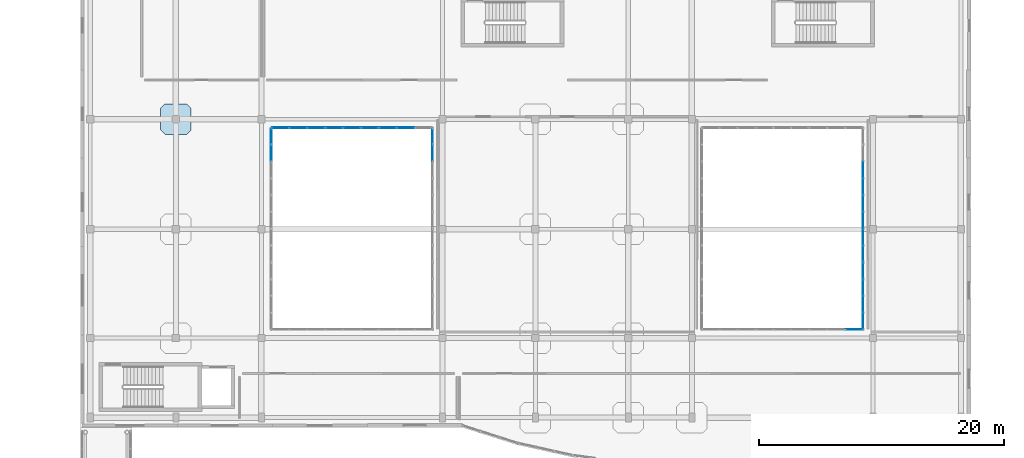
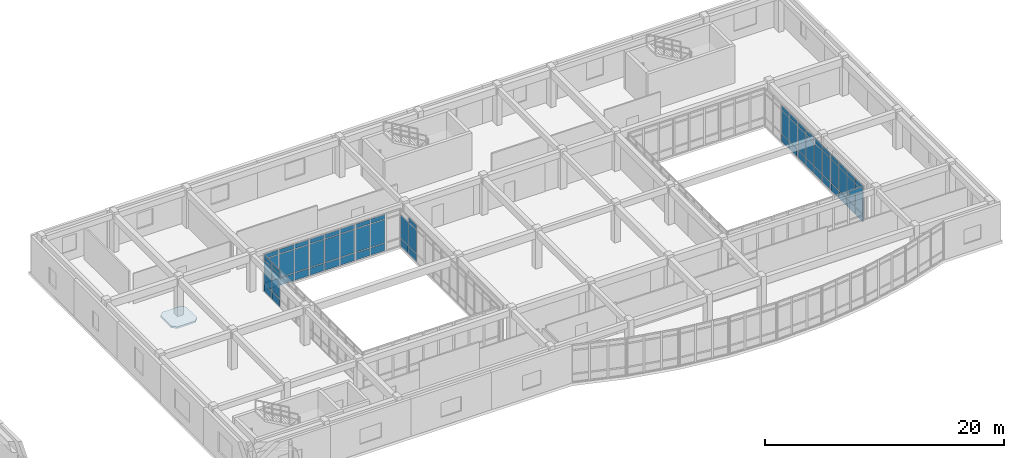
# One storey, part 120 of 146: 66 plates, 1 slab, 9 elements without a shape of their own.
"""IFC4 building model written with IfcOpenShell, lengths in metres."""

from ifc_helpers import new_model, si_unit, direction, frame, origin, origin_2d, place, context, subcontext, project, spatial, polyline, rectangle, outline, extrude, material, layer, layer_set, type_object, element, aggregate, save


model = new_model("IFC4")

# Units and contexts
model_context = context("Model", 3, precision=1e-05, world=origin(), true_north=direction((0.0, 1.0)))
body_context = subcontext(model_context, "Body", "Model", "MODEL_VIEW")
ifc_project = project(units=[si_unit("LENGTHUNIT", "METRE"), si_unit("AREAUNIT", "SQUARE_METRE"), si_unit("VOLUMEUNIT", "CUBIC_METRE"), si_unit("PLANEANGLEUNIT", "RADIAN"), si_unit("MASSUNIT", "GRAM", prefix="KILO")], contexts=[model_context])

# Site, building, storey
site_placement = place(None, origin())
site = spatial("IfcSite", under=ifc_project, at=site_placement, CompositionType="ELEMENT")
building_placement = place(site_placement, origin())
building = spatial("IfcBuilding", under=site, at=building_placement, Name="Valcora Specialist Clinic", CompositionType="ELEMENT")
storey_placement = place(building_placement, frame((0.0, 0.0, 9.52001953125)))
storey = spatial("IfcBuildingStorey", under=building, at=storey_placement, Name="L02", CompositionType="ELEMENT", Elevation=9.52001953125)

# Curtain wall, plates
ifc_material_1 = material(Name="Anodized Bronze Aluminium 6063-T6", Category="aluminium")
ifc_layer_1 = layer(ifc_material_1, 0.175048828125)
ifc_layer_set_1 = layer_set([ifc_layer_1], Name="Anodized Bronze Aluminium 6063-T6")
curtain_wall_type = type_object("IfcCurtainWallType", Name="TY-CW-CRT15", PredefinedType="NOTDEFINED", material=ifc_layer_set_1)
curtain_wall_1_placement = place(storey_placement, origin())
curtain_wall_1 = element("IfcCurtainWall", 1, at=curtain_wall_1_placement, inside=storey, type_object=curtain_wall_type, Name="Curtain wall CW-L02-098", PredefinedType="NOTDEFINED")
ifc_material_2 = material(Name="Low-E Laminated Insulating Glass", Category="glass")
ifc_layer_2 = layer(ifc_material_2, 0.028076171875)
ifc_layer_set_2 = layer_set([ifc_layer_2], Name="Low-E Laminated Insulating Glass")
plate_type_1 = type_object("IfcPlateType", Name="TY-CWP-GLZ28", PredefinedType="CURTAIN_PANEL", material=ifc_layer_set_2)
plate_1_placement = place(storey_placement, frame((90.0, 96.4375, 0.882568359375), z_axis=(0.0, 0.0, 1.0), x_axis=(0.0, 1.0, 0.0)))
plate_1 = element("IfcPlate", 2, at=plate_1_placement, type_object=plate_type_1, Name="CW-CRT-15 panel 3.2", PredefinedType="CURTAIN_PANEL", context=body_context, shape_type="SweptSolid", body=[
    extrude(rectangle(XDim=1.31005859375, YDim=0.028076171875, at=origin_2d()), origin(), (0.0, 0.0, 1.0), 2.35498046875),
])
plate_2_placement = place(storey_placement, frame((90.0, 96.4375, 3.302734375), z_axis=(0.0, 0.0, 1.0), x_axis=(0.0, 1.0, 0.0)))
plate_2 = element("IfcPlate", 3, at=plate_2_placement, type_object=plate_type_1, Name="CW-CRT-15 panel 3.3", PredefinedType="CURTAIN_PANEL", context=body_context, shape_type="SweptSolid", body=[
    extrude(rectangle(XDim=1.31005859375, YDim=0.028076171875, at=origin_2d()), origin(), (0.0, 0.0, 1.0), 0.452392578125),
])
plate_3_placement = place(storey_placement, frame((90.0, 97.796142578125, 0.882568359375), z_axis=(0.0, 0.0, 1.0), x_axis=(0.0, 1.0, 0.0)))
plate_3 = element("IfcPlate", 4, at=plate_3_placement, type_object=plate_type_1, Name="CW-CRT-15 panel 4.2", PredefinedType="CURTAIN_PANEL", context=body_context, shape_type="SweptSolid", body=[
    extrude(rectangle(XDim=1.277587890625, YDim=0.028076171875, at=origin_2d()), origin(), (0.0, 0.0, 1.0), 2.35498046875),
])

curtain_wall_2_placement = place(storey_placement, origin())
curtain_wall_2 = element("IfcCurtainWall", 5, at=curtain_wall_2_placement, inside=storey, type_object=curtain_wall_type, Name="Curtain wall CW-L02-100", PredefinedType="NOTDEFINED")
plate_4_placement = place(storey_placement, frame((84.850341796875, 98.5, 0.882568359375), z_axis=(0.0, 0.0, 1.0), x_axis=(-1.0, 0.0, 0.0)))
plate_4 = element("IfcPlate", 6, at=plate_4_placement, type_object=plate_type_1, Name="CW-CRT-15 panel 1.2", PredefinedType="CURTAIN_PANEL", context=body_context, shape_type="SweptSolid", body=[
    extrude(rectangle(XDim=1.369140625, YDim=0.028076171875, at=origin_2d()), origin(), (0.0, 0.0, 1.0), 2.35498046875),
])
plate_5_placement = place(storey_placement, frame((84.850341796875, 98.5, 3.302734375), z_axis=(0.0, 0.0, 1.0), x_axis=(-1.0, 0.0, 0.0)))
plate_5 = element("IfcPlate", 7, at=plate_5_placement, type_object=plate_type_1, Name="CW-CRT-15 panel 1.3", PredefinedType="CURTAIN_PANEL", context=body_context, shape_type="SweptSolid", body=[
    extrude(rectangle(XDim=1.369140625, YDim=0.028076171875, at=origin_2d()), origin(), (0.0, 0.0, 1.0), 0.452392578125),
])
plate_6_placement = place(storey_placement, frame((83.39990234375, 98.5, 0.882568359375), z_axis=(0.0, 0.0, 1.0), x_axis=(-1.0, 0.0, 0.0)))
plate_6 = element("IfcPlate", 8, at=plate_6_placement, type_object=plate_type_1, Name="CW-CRT-15 panel 2.2", PredefinedType="CURTAIN_PANEL", context=body_context, shape_type="SweptSolid", body=[
    extrude(rectangle(XDim=1.401611328125, YDim=0.028076171875, at=origin_2d()), origin(), (0.0, 0.0, 1.0), 2.35498046875),
])
plate_7_placement = place(storey_placement, frame((83.39990234375, 98.5, 3.302734375), z_axis=(0.0, 0.0, 1.0), x_axis=(-1.0, 0.0, 0.0)))
plate_7 = element("IfcPlate", 9, at=plate_7_placement, type_object=plate_type_1, Name="CW-CRT-15 panel 2.3", PredefinedType="CURTAIN_PANEL", context=body_context, shape_type="SweptSolid", body=[
    extrude(rectangle(XDim=1.401611328125, YDim=0.028076171875, at=origin_2d()), origin(), (0.0, 0.0, 1.0), 0.452392578125),
])
plate_8_placement = place(storey_placement, frame((81.949462890625, 98.5, 0.882568359375), z_axis=(0.0, 0.0, 1.0), x_axis=(-1.0, 0.0, 0.0)))
plate_8 = element("IfcPlate", 10, at=plate_8_placement, type_object=plate_type_1, Name="CW-CRT-15 panel 3.2", PredefinedType="CURTAIN_PANEL", context=body_context, shape_type="SweptSolid", body=[
    extrude(rectangle(XDim=1.369140625, YDim=0.028076171875, at=origin_2d()), origin(), (0.0, 0.0, 1.0), 2.35498046875),
])
plate_9_placement = place(storey_placement, frame((81.949462890625, 98.5, 3.302734375), z_axis=(0.0, 0.0, 1.0), x_axis=(-1.0, 0.0, 0.0)))
plate_9 = element("IfcPlate", 11, at=plate_9_placement, type_object=plate_type_1, Name="CW-CRT-15 panel 3.3", PredefinedType="CURTAIN_PANEL", context=body_context, shape_type="SweptSolid", body=[
    extrude(rectangle(XDim=1.369140625, YDim=0.028076171875, at=origin_2d()), origin(), (0.0, 0.0, 1.0), 0.452392578125),
])

curtain_wall_3_placement = place(storey_placement, origin())
curtain_wall_3 = element("IfcCurtainWall", 12, at=curtain_wall_3_placement, inside=storey, type_object=curtain_wall_type, Name="Curtain wall CW-L02-102", PredefinedType="NOTDEFINED")
plate_10_placement = place(storey_placement, frame((76.800048828125, 97.796142578125, 0.882568359375), z_axis=(0.0, 0.0, 1.0), x_axis=(0.0, -1.0, 0.0)))
plate_10 = element("IfcPlate", 13, at=plate_10_placement, type_object=plate_type_1, Name="CW-CRT-15 panel 1.2", PredefinedType="CURTAIN_PANEL", context=body_context, shape_type="SweptSolid", body=[
    extrude(rectangle(XDim=1.277587890625, YDim=0.028076171875, at=origin_2d()), origin(), (0.0, 0.0, 1.0), 2.35498046875),
])
plate_11_placement = place(storey_placement, frame((76.800048828125, 97.796142578125, 3.302734375), z_axis=(0.0, 0.0, 1.0), x_axis=(0.0, -1.0, 0.0)))
plate_11 = element("IfcPlate", 14, at=plate_11_placement, type_object=plate_type_1, Name="CW-CRT-15 panel 1.3", PredefinedType="CURTAIN_PANEL", context=body_context, shape_type="SweptSolid", body=[
    extrude(rectangle(XDim=1.277587890625, YDim=0.028076171875, at=origin_2d()), origin(), (0.0, 0.0, 1.0), 0.452392578125),
])
plate_12_placement = place(storey_placement, frame((76.800048828125, 96.4375, 0.882568359375), z_axis=(0.0, 0.0, 1.0), x_axis=(0.0, -1.0, 0.0)))
plate_12 = element("IfcPlate", 15, at=plate_12_placement, type_object=plate_type_1, Name="CW-CRT-15 panel 2.2", PredefinedType="CURTAIN_PANEL", context=body_context, shape_type="SweptSolid", body=[
    extrude(rectangle(XDim=1.31005859375, YDim=0.028076171875, at=origin_2d()), origin(), (0.0, 0.0, 1.0), 2.35498046875),
])
plate_13_placement = place(storey_placement, frame((76.800048828125, 96.4375, 3.302734375), z_axis=(0.0, 0.0, 1.0), x_axis=(0.0, -1.0, 0.0)))
plate_13 = element("IfcPlate", 16, at=plate_13_placement, type_object=plate_type_1, Name="CW-CRT-15 panel 2.3", PredefinedType="CURTAIN_PANEL", context=body_context, shape_type="SweptSolid", body=[
    extrude(rectangle(XDim=1.31005859375, YDim=0.028076171875, at=origin_2d()), origin(), (0.0, 0.0, 1.0), 0.452392578125),
])

curtain_wall_4_placement = place(storey_placement, origin())
curtain_wall_4 = element("IfcCurtainWall", 17, at=curtain_wall_4_placement, inside=storey, type_object=curtain_wall_type, Name="Curtain wall CW-L02-108", PredefinedType="NOTDEFINED")
plate_14_placement = place(storey_placement, frame((125.199951171875, 82.703857421875, 0.882568359375), z_axis=(0.0, 0.0, 1.0), x_axis=(0.0, 1.0, 0.0)))
plate_14 = element("IfcPlate", 18, at=plate_14_placement, type_object=plate_type_1, Name="CW-CRT-15 panel 1.2", PredefinedType="CURTAIN_PANEL", context=body_context, shape_type="SweptSolid", body=[
    extrude(rectangle(XDim=1.277587890625, YDim=0.028076171875, at=origin_2d()), origin(), (0.0, 0.0, 1.0), 2.35498046875),
])
plate_15_placement = place(storey_placement, frame((125.199951171875, 82.703857421875, 3.302734375), z_axis=(0.0, 0.0, 1.0), x_axis=(0.0, 1.0, 0.0)))
plate_15 = element("IfcPlate", 19, at=plate_15_placement, type_object=plate_type_1, Name="CW-CRT-15 panel 1.3", PredefinedType="CURTAIN_PANEL", context=body_context, shape_type="SweptSolid", body=[
    extrude(rectangle(XDim=1.277587890625, YDim=0.028076171875, at=origin_2d()), origin(), (0.0, 0.0, 1.0), 0.452392578125),
])
plate_16_placement = place(storey_placement, frame((125.199951171875, 84.0625, 0.882568359375), z_axis=(0.0, 0.0, 1.0), x_axis=(0.0, 1.0, 0.0)))
plate_16 = element("IfcPlate", 20, at=plate_16_placement, type_object=plate_type_1, Name="CW-CRT-15 panel 2.2", PredefinedType="CURTAIN_PANEL", context=body_context, shape_type="SweptSolid", body=[
    extrude(rectangle(XDim=1.31005859375, YDim=0.028076171875, at=origin_2d()), origin(), (0.0, 0.0, 1.0), 2.35498046875),
])
plate_17_placement = place(storey_placement, frame((125.199951171875, 84.0625, 3.302734375), z_axis=(0.0, 0.0, 1.0), x_axis=(0.0, 1.0, 0.0)))
plate_17 = element("IfcPlate", 21, at=plate_17_placement, type_object=plate_type_1, Name="CW-CRT-15 panel 2.3", PredefinedType="CURTAIN_PANEL", context=body_context, shape_type="SweptSolid", body=[
    extrude(rectangle(XDim=1.31005859375, YDim=0.028076171875, at=origin_2d()), origin(), (0.0, 0.0, 1.0), 0.452392578125),
])
plate_18_placement = place(storey_placement, frame((125.199951171875, 85.4375, 0.882568359375), z_axis=(0.0, 0.0, 1.0), x_axis=(0.0, 1.0, 0.0)))
plate_18 = element("IfcPlate", 22, at=plate_18_placement, type_object=plate_type_1, Name="CW-CRT-15 panel 3.2", PredefinedType="CURTAIN_PANEL", context=body_context, shape_type="SweptSolid", body=[
    extrude(rectangle(XDim=1.31005859375, YDim=0.028076171875, at=origin_2d()), origin(), (0.0, 0.0, 1.0), 2.35498046875),
])
plate_19_placement = place(storey_placement, frame((125.199951171875, 85.4375, 3.302734375), z_axis=(0.0, 0.0, 1.0), x_axis=(0.0, 1.0, 0.0)))
plate_19 = element("IfcPlate", 23, at=plate_19_placement, type_object=plate_type_1, Name="CW-CRT-15 panel 3.3", PredefinedType="CURTAIN_PANEL", context=body_context, shape_type="SweptSolid", body=[
    extrude(rectangle(XDim=1.31005859375, YDim=0.028076171875, at=origin_2d()), origin(), (0.0, 0.0, 1.0), 0.452392578125),
])
plate_20_placement = place(storey_placement, frame((125.199951171875, 86.796142578125, 0.882568359375), z_axis=(0.0, 0.0, 1.0), x_axis=(0.0, 1.0, 0.0)))
plate_20 = element("IfcPlate", 24, at=plate_20_placement, type_object=plate_type_1, Name="CW-CRT-15 panel 4.2", PredefinedType="CURTAIN_PANEL", context=body_context, shape_type="SweptSolid", body=[
    extrude(rectangle(XDim=1.277587890625, YDim=0.028076171875, at=origin_2d()), origin(), (0.0, 0.0, 1.0), 2.35498046875),
])
plate_21_placement = place(storey_placement, frame((125.199951171875, 86.796142578125, 3.302734375), z_axis=(0.0, 0.0, 1.0), x_axis=(0.0, 1.0, 0.0)))
plate_21 = element("IfcPlate", 25, at=plate_21_placement, type_object=plate_type_1, Name="CW-CRT-15 panel 4.3", PredefinedType="CURTAIN_PANEL", context=body_context, shape_type="SweptSolid", body=[
    extrude(rectangle(XDim=1.277587890625, YDim=0.028076171875, at=origin_2d()), origin(), (0.0, 0.0, 1.0), 0.452392578125),
])

curtain_wall_5_placement = place(storey_placement, origin())
curtain_wall_5 = element("IfcCurtainWall", 26, at=curtain_wall_5_placement, inside=storey, type_object=curtain_wall_type, Name="Curtain wall CW-L02-110", PredefinedType="NOTDEFINED")
plate_22_placement = place(storey_placement, frame((125.199951171875, 93.703857421875, 0.882568359375), z_axis=(0.0, 0.0, 1.0), x_axis=(0.0, 1.0, 0.0)))
plate_22 = element("IfcPlate", 27, at=plate_22_placement, type_object=plate_type_1, Name="CW-CRT-15 panel 1.2", PredefinedType="CURTAIN_PANEL", context=body_context, shape_type="SweptSolid", body=[
    extrude(rectangle(XDim=1.277587890625, YDim=0.028076171875, at=origin_2d()), origin(), (0.0, 0.0, 1.0), 2.35498046875),
])
plate_23_placement = place(storey_placement, frame((125.199951171875, 93.703857421875, 3.302734375), z_axis=(0.0, 0.0, 1.0), x_axis=(0.0, 1.0, 0.0)))
plate_23 = element("IfcPlate", 28, at=plate_23_placement, type_object=plate_type_1, Name="CW-CRT-15 panel 1.3", PredefinedType="CURTAIN_PANEL", context=body_context, shape_type="SweptSolid", body=[
    extrude(rectangle(XDim=1.277587890625, YDim=0.028076171875, at=origin_2d()), origin(), (0.0, 0.0, 1.0), 0.452392578125),
])
plate_24_placement = place(storey_placement, frame((125.199951171875, 95.0625, 0.882568359375), z_axis=(0.0, 0.0, 1.0), x_axis=(0.0, 1.0, 0.0)))
plate_24 = element("IfcPlate", 29, at=plate_24_placement, type_object=plate_type_1, Name="CW-CRT-15 panel 2.2", PredefinedType="CURTAIN_PANEL", context=body_context, shape_type="SweptSolid", body=[
    extrude(rectangle(XDim=1.31005859375, YDim=0.028076171875, at=origin_2d()), origin(), (0.0, 0.0, 1.0), 2.35498046875),
])
plate_25_placement = place(storey_placement, frame((125.199951171875, 95.0625, 3.302734375), z_axis=(0.0, 0.0, 1.0), x_axis=(0.0, 1.0, 0.0)))
plate_25 = element("IfcPlate", 30, at=plate_25_placement, type_object=plate_type_1, Name="CW-CRT-15 panel 2.3", PredefinedType="CURTAIN_PANEL", context=body_context, shape_type="SweptSolid", body=[
    extrude(rectangle(XDim=1.31005859375, YDim=0.028076171875, at=origin_2d()), origin(), (0.0, 0.0, 1.0), 0.452392578125),
])

curtain_wall_6_placement = place(storey_placement, origin())
curtain_wall_6 = element("IfcCurtainWall", 31, at=curtain_wall_6_placement, inside=storey, type_object=curtain_wall_type, Name="Curtain wall CW-L02-099", PredefinedType="NOTDEFINED")
ifc_layer_3 = layer(ifc_material_2, 0.033935546875)
ifc_layer_set_3 = layer_set([ifc_layer_3], Name="Low-E Laminated Insulating Glass")
plate_type_2 = type_object("IfcPlateType", Name="TY-CWP-GLZ34", PredefinedType="CURTAIN_PANEL", material=ifc_layer_set_3)
plate_26_placement = place(storey_placement, frame((87.800048828125, 98.5, 0.882568359375), z_axis=(0.0, 0.0, 1.0), x_axis=(-1.0, 0.0, 0.0)))
plate_26 = element("IfcPlate", 32, at=plate_26_placement, type_object=plate_type_2, Name="CW-CRT-15 panel 2.2", PredefinedType="CURTAIN_PANEL", context=body_context, shape_type="SweptSolid", body=[
    extrude(rectangle(XDim=1.401611328125, YDim=0.033935546875, at=origin_2d()), origin(), (0.0, 0.0, 1.0), 2.35498046875),
])
plate_27_placement = place(storey_placement, frame((87.800048828125, 98.5, 3.302734375), z_axis=(0.0, 0.0, 1.0), x_axis=(-1.0, 0.0, 0.0)))
plate_27 = element("IfcPlate", 33, at=plate_27_placement, type_object=plate_type_2, Name="CW-CRT-15 panel 2.3", PredefinedType="CURTAIN_PANEL", context=body_context, shape_type="SweptSolid", body=[
    extrude(rectangle(XDim=1.401611328125, YDim=0.033935546875, at=origin_2d()), origin(), (0.0, 0.0, 1.0), 0.452392578125),
])
plate_28_placement = place(storey_placement, frame((86.349609375, 98.5, 0.882568359375), z_axis=(0.0, 0.0, 1.0), x_axis=(-1.0, 0.0, 0.0)))
plate_28 = element("IfcPlate", 34, at=plate_28_placement, type_object=plate_type_2, Name="CW-CRT-15 panel 3.2", PredefinedType="CURTAIN_PANEL", context=body_context, shape_type="SweptSolid", body=[
    extrude(rectangle(XDim=1.369140625, YDim=0.033935546875, at=origin_2d()), origin(), (0.0, 0.0, 1.0), 2.35498046875),
])
plate_29_placement = place(storey_placement, frame((86.349609375, 98.5, 3.302734375), z_axis=(0.0, 0.0, 1.0), x_axis=(-1.0, 0.0, 0.0)))
plate_29 = element("IfcPlate", 35, at=plate_29_placement, type_object=plate_type_2, Name="CW-CRT-15 panel 3.3", PredefinedType="CURTAIN_PANEL", context=body_context, shape_type="SweptSolid", body=[
    extrude(rectangle(XDim=1.369140625, YDim=0.033935546875, at=origin_2d()), origin(), (0.0, 0.0, 1.0), 0.452392578125),
])

curtain_wall_7_placement = place(storey_placement, origin())
curtain_wall_7 = element("IfcCurtainWall", 36, at=curtain_wall_7_placement, inside=storey, type_object=curtain_wall_type, Name="Curtain wall CW-L02-101", PredefinedType="NOTDEFINED")
plate_30_placement = place(storey_placement, frame((80.450439453125, 98.5, 0.882568359375), z_axis=(0.0, 0.0, 1.0), x_axis=(-1.0, 0.0, 0.0)))
plate_30 = element("IfcPlate", 37, at=plate_30_placement, type_object=plate_type_2, Name="CW-CRT-15 panel 1.2", PredefinedType="CURTAIN_PANEL", context=body_context, shape_type="SweptSolid", body=[
    extrude(rectangle(XDim=1.369140625, YDim=0.033935546875, at=origin_2d()), origin(), (0.0, 0.0, 1.0), 2.35498046875),
])
plate_31_placement = place(storey_placement, frame((80.450439453125, 98.5, 3.302734375), z_axis=(0.0, 0.0, 1.0), x_axis=(-1.0, 0.0, 0.0)))
plate_31 = element("IfcPlate", 38, at=plate_31_placement, type_object=plate_type_2, Name="CW-CRT-15 panel 1.3", PredefinedType="CURTAIN_PANEL", context=body_context, shape_type="SweptSolid", body=[
    extrude(rectangle(XDim=1.369140625, YDim=0.033935546875, at=origin_2d()), origin(), (0.0, 0.0, 1.0), 0.452392578125),
])
plate_32_placement = place(storey_placement, frame((79.0, 98.5, 0.882568359375), z_axis=(0.0, 0.0, 1.0), x_axis=(-1.0, 0.0, 0.0)))
plate_32 = element("IfcPlate", 39, at=plate_32_placement, type_object=plate_type_2, Name="CW-CRT-15 panel 2.2", PredefinedType="CURTAIN_PANEL", context=body_context, shape_type="SweptSolid", body=[
    extrude(rectangle(XDim=1.401611328125, YDim=0.033935546875, at=origin_2d()), origin(), (0.0, 0.0, 1.0), 2.35498046875),
])
plate_33_placement = place(storey_placement, frame((79.0, 98.5, 3.302734375), z_axis=(0.0, 0.0, 1.0), x_axis=(-1.0, 0.0, 0.0)))
plate_33 = element("IfcPlate", 40, at=plate_33_placement, type_object=plate_type_2, Name="CW-CRT-15 panel 2.3", PredefinedType="CURTAIN_PANEL", context=body_context, shape_type="SweptSolid", body=[
    extrude(rectangle(XDim=1.401611328125, YDim=0.033935546875, at=origin_2d()), origin(), (0.0, 0.0, 1.0), 0.452392578125),
])
plate_34_placement = place(storey_placement, frame((77.549560546875, 98.5, 0.882568359375), z_axis=(0.0, 0.0, 1.0), x_axis=(-1.0, 0.0, 0.0)))
plate_34 = element("IfcPlate", 41, at=plate_34_placement, type_object=plate_type_2, Name="CW-CRT-15 panel 3.2", PredefinedType="CURTAIN_PANEL", context=body_context, shape_type="SweptSolid", body=[
    extrude(rectangle(XDim=1.369140625, YDim=0.033935546875, at=origin_2d()), origin(), (0.0, 0.0, 1.0), 2.35498046875),
])
plate_35_placement = place(storey_placement, frame((77.549560546875, 98.5, 3.302734375), z_axis=(0.0, 0.0, 1.0), x_axis=(-1.0, 0.0, 0.0)))
plate_35 = element("IfcPlate", 42, at=plate_35_placement, type_object=plate_type_2, Name="CW-CRT-15 panel 3.3", PredefinedType="CURTAIN_PANEL", context=body_context, shape_type="SweptSolid", body=[
    extrude(rectangle(XDim=1.369140625, YDim=0.033935546875, at=origin_2d()), origin(), (0.0, 0.0, 1.0), 0.452392578125),
])

# Curtain wall, plate
curtain_wall_8_placement = place(storey_placement, origin())
curtain_wall_8 = element("IfcCurtainWall", 43, at=curtain_wall_8_placement, inside=storey, type_object=curtain_wall_type, Name="Curtain wall CW-L02-107", PredefinedType="NOTDEFINED")
plate_36_placement = place(storey_placement, frame((124.450439453125, 82.0, 3.302734375), z_axis=(0.0, 0.0, 1.0), x_axis=(1.0, 0.0, 0.0)))
plate_36 = element("IfcPlate", 44, at=plate_36_placement, type_object=plate_type_2, Name="CW-CRT-15 panel 3.3", PredefinedType="CURTAIN_PANEL", context=body_context, shape_type="SweptSolid", body=[
    extrude(rectangle(XDim=1.369140625, YDim=0.033935546875, at=origin_2d()), origin(), (0.0, 0.0, 1.0), 0.452392578125),
])
aggregate(curtain_wall_8, [plate_36])

# Curtain wall, plates
curtain_wall_9_placement = place(storey_placement, origin())
curtain_wall_9 = element("IfcCurtainWall", 45, at=curtain_wall_9_placement, inside=storey, type_object=curtain_wall_type, Name="Curtain wall CW-L02-109", PredefinedType="NOTDEFINED")
plate_37_placement = place(storey_placement, frame((125.199951171875, 88.203857421875, 0.882568359375), z_axis=(0.0, 0.0, 1.0), x_axis=(0.0, 1.0, 0.0)))
plate_37 = element("IfcPlate", 46, at=plate_37_placement, type_object=plate_type_2, Name="CW-CRT-15 panel 1.2", PredefinedType="CURTAIN_PANEL", context=body_context, shape_type="SweptSolid", body=[
    extrude(rectangle(XDim=1.277587890625, YDim=0.033935546875, at=origin_2d()), origin(), (0.0, 0.0, 1.0), 2.35498046875),
])
plate_38_placement = place(storey_placement, frame((125.199951171875, 88.203857421875, 3.302734375), z_axis=(0.0, 0.0, 1.0), x_axis=(0.0, 1.0, 0.0)))
plate_38 = element("IfcPlate", 47, at=plate_38_placement, type_object=plate_type_2, Name="CW-CRT-15 panel 1.3", PredefinedType="CURTAIN_PANEL", context=body_context, shape_type="SweptSolid", body=[
    extrude(rectangle(XDim=1.277587890625, YDim=0.033935546875, at=origin_2d()), origin(), (0.0, 0.0, 1.0), 0.452392578125),
])
plate_39_placement = place(storey_placement, frame((125.199951171875, 89.5625, 0.882568359375), z_axis=(0.0, 0.0, 1.0), x_axis=(0.0, 1.0, 0.0)))
plate_39 = element("IfcPlate", 48, at=plate_39_placement, type_object=plate_type_2, Name="CW-CRT-15 panel 2.2", PredefinedType="CURTAIN_PANEL", context=body_context, shape_type="SweptSolid", body=[
    extrude(rectangle(XDim=1.31005859375, YDim=0.033935546875, at=origin_2d()), origin(), (0.0, 0.0, 1.0), 2.35498046875),
])
plate_40_placement = place(storey_placement, frame((125.199951171875, 89.5625, 3.302734375), z_axis=(0.0, 0.0, 1.0), x_axis=(0.0, 1.0, 0.0)))
plate_40 = element("IfcPlate", 49, at=plate_40_placement, type_object=plate_type_2, Name="CW-CRT-15 panel 2.3", PredefinedType="CURTAIN_PANEL", context=body_context, shape_type="SweptSolid", body=[
    extrude(rectangle(XDim=1.31005859375, YDim=0.033935546875, at=origin_2d()), origin(), (0.0, 0.0, 1.0), 0.452392578125),
])
plate_41_placement = place(storey_placement, frame((125.199951171875, 90.9375, 0.882568359375), z_axis=(0.0, 0.0, 1.0), x_axis=(0.0, 1.0, 0.0)))
plate_41 = element("IfcPlate", 50, at=plate_41_placement, type_object=plate_type_2, Name="CW-CRT-15 panel 3.2", PredefinedType="CURTAIN_PANEL", context=body_context, shape_type="SweptSolid", body=[
    extrude(rectangle(XDim=1.31005859375, YDim=0.033935546875, at=origin_2d()), origin(), (0.0, 0.0, 1.0), 2.35498046875),
])
plate_42_placement = place(storey_placement, frame((125.199951171875, 90.9375, 3.302734375), z_axis=(0.0, 0.0, 1.0), x_axis=(0.0, 1.0, 0.0)))
plate_42 = element("IfcPlate", 51, at=plate_42_placement, type_object=plate_type_2, Name="CW-CRT-15 panel 3.3", PredefinedType="CURTAIN_PANEL", context=body_context, shape_type="SweptSolid", body=[
    extrude(rectangle(XDim=1.31005859375, YDim=0.033935546875, at=origin_2d()), origin(), (0.0, 0.0, 1.0), 0.452392578125),
])
plate_43_placement = place(storey_placement, frame((125.199951171875, 92.296142578125, 0.882568359375), z_axis=(0.0, 0.0, 1.0), x_axis=(0.0, 1.0, 0.0)))
plate_43 = element("IfcPlate", 52, at=plate_43_placement, type_object=plate_type_2, Name="CW-CRT-15 panel 4.2", PredefinedType="CURTAIN_PANEL", context=body_context, shape_type="SweptSolid", body=[
    extrude(rectangle(XDim=1.277587890625, YDim=0.033935546875, at=origin_2d()), origin(), (0.0, 0.0, 1.0), 2.35498046875),
])
plate_44_placement = place(storey_placement, frame((125.199951171875, 92.296142578125, 3.302734375), z_axis=(0.0, 0.0, 1.0), x_axis=(0.0, 1.0, 0.0)))
plate_44 = element("IfcPlate", 53, at=plate_44_placement, type_object=plate_type_2, Name="CW-CRT-15 panel 4.3", PredefinedType="CURTAIN_PANEL", context=body_context, shape_type="SweptSolid", body=[
    extrude(rectangle(XDim=1.277587890625, YDim=0.033935546875, at=origin_2d()), origin(), (0.0, 0.0, 1.0), 0.452392578125),
])

# Plate
ifc_material_3 = material(Name="Insulated Spandrel Panel")
ifc_layer_4 = layer(ifc_material_3, 0.044921875)
ifc_layer_set_4 = layer_set([ifc_layer_4], Name="Insulated Spandrel Panel")
plate_type_3 = type_object("IfcPlateType", Name="TY-CWP-SPN45", PredefinedType="SHEET", material=ifc_layer_set_4)
plate_45_placement = place(storey_placement, frame((90.0, 96.4375, 0.06494140625), z_axis=(0.0, 0.0, 1.0), x_axis=(0.0, 1.0, 0.0)))
plate_45 = element("IfcPlate", 54, at=plate_45_placement, type_object=plate_type_3, Name="CW-CRT-15 panel 3.1", PredefinedType="SHEET", context=body_context, shape_type="SweptSolid", body=[
    extrude(rectangle(XDim=1.31005859375, YDim=0.044921875, at=origin_2d()), origin(), (0.0, 0.0, 1.0), 0.75244140625),
])

plate_46_placement = place(storey_placement, frame((90.0, 97.796142578125, 0.06494140625), z_axis=(0.0, 0.0, 1.0), x_axis=(0.0, 1.0, 0.0)))
plate_46 = element("IfcPlate", 55, at=plate_46_placement, type_object=plate_type_3, Name="CW-CRT-15 panel 4.1", PredefinedType="SHEET", context=body_context, shape_type="SweptSolid", body=[
    extrude(rectangle(XDim=1.277587890625, YDim=0.044921875, at=origin_2d()), origin(), (0.0, 0.0, 1.0), 0.75244140625),
])

aggregate(curtain_wall_1, [plate_45, plate_1, plate_2, plate_46, plate_3])

plate_47_placement = place(storey_placement, frame((87.800048828125, 98.5, 0.06494140625), z_axis=(0.0, 0.0, 1.0), x_axis=(-1.0, 0.0, 0.0)))
plate_47 = element("IfcPlate", 56, at=plate_47_placement, type_object=plate_type_3, Name="CW-CRT-15 panel 2.1", PredefinedType="SHEET", context=body_context, shape_type="SweptSolid", body=[
    extrude(rectangle(XDim=1.401611328125, YDim=0.044921875, at=origin_2d()), origin(), (0.0, 0.0, 1.0), 0.75244140625),
])

plate_48_placement = place(storey_placement, frame((86.349609375, 98.5, 0.06494140625), z_axis=(0.0, 0.0, 1.0), x_axis=(-1.0, 0.0, 0.0)))
plate_48 = element("IfcPlate", 57, at=plate_48_placement, type_object=plate_type_3, Name="CW-CRT-15 panel 3.1", PredefinedType="SHEET", context=body_context, shape_type="SweptSolid", body=[
    extrude(rectangle(XDim=1.369140625, YDim=0.044921875, at=origin_2d()), origin(), (0.0, 0.0, 1.0), 0.75244140625),
])

aggregate(curtain_wall_6, [plate_47, plate_26, plate_27, plate_48, plate_28, plate_29])

plate_49_placement = place(storey_placement, frame((84.850341796875, 98.5, 0.06494140625), z_axis=(0.0, 0.0, 1.0), x_axis=(-1.0, 0.0, 0.0)))
plate_49 = element("IfcPlate", 58, at=plate_49_placement, type_object=plate_type_3, Name="CW-CRT-15 panel 1.1", PredefinedType="SHEET", context=body_context, shape_type="SweptSolid", body=[
    extrude(rectangle(XDim=1.369140625, YDim=0.044921875, at=origin_2d()), origin(), (0.0, 0.0, 1.0), 0.75244140625),
])

plate_50_placement = place(storey_placement, frame((83.39990234375, 98.5, 0.06494140625), z_axis=(0.0, 0.0, 1.0), x_axis=(-1.0, 0.0, 0.0)))
plate_50 = element("IfcPlate", 59, at=plate_50_placement, type_object=plate_type_3, Name="CW-CRT-15 panel 2.1", PredefinedType="SHEET", context=body_context, shape_type="SweptSolid", body=[
    extrude(rectangle(XDim=1.401611328125, YDim=0.044921875, at=origin_2d()), origin(), (0.0, 0.0, 1.0), 0.75244140625),
])

plate_51_placement = place(storey_placement, frame((81.949462890625, 98.5, 0.06494140625), z_axis=(0.0, 0.0, 1.0), x_axis=(-1.0, 0.0, 0.0)))
plate_51 = element("IfcPlate", 60, at=plate_51_placement, type_object=plate_type_3, Name="CW-CRT-15 panel 3.1", PredefinedType="SHEET", context=body_context, shape_type="SweptSolid", body=[
    extrude(rectangle(XDim=1.369140625, YDim=0.044921875, at=origin_2d()), origin(), (0.0, 0.0, 1.0), 0.75244140625),
])

aggregate(curtain_wall_2, [plate_49, plate_4, plate_5, plate_50, plate_6, plate_7, plate_51, plate_8, plate_9])

plate_52_placement = place(storey_placement, frame((80.450439453125, 98.5, 0.06494140625), z_axis=(0.0, 0.0, 1.0), x_axis=(-1.0, 0.0, 0.0)))
plate_52 = element("IfcPlate", 61, at=plate_52_placement, type_object=plate_type_3, Name="CW-CRT-15 panel 1.1", PredefinedType="SHEET", context=body_context, shape_type="SweptSolid", body=[
    extrude(rectangle(XDim=1.369140625, YDim=0.044921875, at=origin_2d()), origin(), (0.0, 0.0, 1.0), 0.75244140625),
])

plate_53_placement = place(storey_placement, frame((79.0, 98.5, 0.06494140625), z_axis=(0.0, 0.0, 1.0), x_axis=(-1.0, 0.0, 0.0)))
plate_53 = element("IfcPlate", 62, at=plate_53_placement, type_object=plate_type_3, Name="CW-CRT-15 panel 2.1", PredefinedType="SHEET", context=body_context, shape_type="SweptSolid", body=[
    extrude(rectangle(XDim=1.401611328125, YDim=0.044921875, at=origin_2d()), origin(), (0.0, 0.0, 1.0), 0.75244140625),
])

plate_54_placement = place(storey_placement, frame((77.549560546875, 98.5, 0.06494140625), z_axis=(0.0, 0.0, 1.0), x_axis=(-1.0, 0.0, 0.0)))
plate_54 = element("IfcPlate", 63, at=plate_54_placement, type_object=plate_type_3, Name="CW-CRT-15 panel 3.1", PredefinedType="SHEET", context=body_context, shape_type="SweptSolid", body=[
    extrude(rectangle(XDim=1.369140625, YDim=0.044921875, at=origin_2d()), origin(), (0.0, 0.0, 1.0), 0.75244140625),
])

aggregate(curtain_wall_7, [plate_52, plate_30, plate_31, plate_53, plate_32, plate_33, plate_54, plate_34, plate_35])

plate_55_placement = place(storey_placement, frame((76.800048828125, 97.796142578125, 0.06494140625), z_axis=(0.0, 0.0, 1.0), x_axis=(0.0, -1.0, 0.0)))
plate_55 = element("IfcPlate", 64, at=plate_55_placement, type_object=plate_type_3, Name="CW-CRT-15 panel 1.1", PredefinedType="SHEET", context=body_context, shape_type="SweptSolid", body=[
    extrude(rectangle(XDim=1.277587890625, YDim=0.044921875, at=origin_2d()), origin(), (0.0, 0.0, 1.0), 0.75244140625),
])

plate_56_placement = place(storey_placement, frame((76.800048828125, 96.4375, 0.06494140625), z_axis=(0.0, 0.0, 1.0), x_axis=(0.0, -1.0, 0.0)))
plate_56 = element("IfcPlate", 65, at=plate_56_placement, type_object=plate_type_3, Name="CW-CRT-15 panel 2.1", PredefinedType="SHEET", context=body_context, shape_type="SweptSolid", body=[
    extrude(rectangle(XDim=1.31005859375, YDim=0.044921875, at=origin_2d()), origin(), (0.0, 0.0, 1.0), 0.75244140625),
])

aggregate(curtain_wall_3, [plate_55, plate_10, plate_11, plate_56, plate_12, plate_13])

plate_57_placement = place(storey_placement, frame((125.199951171875, 82.703857421875, 0.06494140625), z_axis=(0.0, 0.0, 1.0), x_axis=(0.0, 1.0, 0.0)))
plate_57 = element("IfcPlate", 66, at=plate_57_placement, type_object=plate_type_3, Name="CW-CRT-15 panel 1.1", PredefinedType="SHEET", context=body_context, shape_type="SweptSolid", body=[
    extrude(rectangle(XDim=1.277587890625, YDim=0.044921875, at=origin_2d()), origin(), (0.0, 0.0, 1.0), 0.75244140625),
])

plate_58_placement = place(storey_placement, frame((125.199951171875, 84.0625, 0.06494140625), z_axis=(0.0, 0.0, 1.0), x_axis=(0.0, 1.0, 0.0)))
plate_58 = element("IfcPlate", 67, at=plate_58_placement, type_object=plate_type_3, Name="CW-CRT-15 panel 2.1", PredefinedType="SHEET", context=body_context, shape_type="SweptSolid", body=[
    extrude(rectangle(XDim=1.31005859375, YDim=0.044921875, at=origin_2d()), origin(), (0.0, 0.0, 1.0), 0.75244140625),
])

plate_59_placement = place(storey_placement, frame((125.199951171875, 85.4375, 0.06494140625), z_axis=(0.0, 0.0, 1.0), x_axis=(0.0, 1.0, 0.0)))
plate_59 = element("IfcPlate", 68, at=plate_59_placement, type_object=plate_type_3, Name="CW-CRT-15 panel 3.1", PredefinedType="SHEET", context=body_context, shape_type="SweptSolid", body=[
    extrude(rectangle(XDim=1.31005859375, YDim=0.044921875, at=origin_2d()), origin(), (0.0, 0.0, 1.0), 0.75244140625),
])

plate_60_placement = place(storey_placement, frame((125.199951171875, 86.796142578125, 0.06494140625), z_axis=(0.0, 0.0, 1.0), x_axis=(0.0, 1.0, 0.0)))
plate_60 = element("IfcPlate", 69, at=plate_60_placement, type_object=plate_type_3, Name="CW-CRT-15 panel 4.1", PredefinedType="SHEET", context=body_context, shape_type="SweptSolid", body=[
    extrude(rectangle(XDim=1.277587890625, YDim=0.044921875, at=origin_2d()), origin(), (0.0, 0.0, 1.0), 0.75244140625),
])

aggregate(curtain_wall_4, [plate_57, plate_14, plate_15, plate_58, plate_16, plate_17, plate_59, plate_18, plate_19, plate_60, plate_20, plate_21])

plate_61_placement = place(storey_placement, frame((125.199951171875, 88.203857421875, 0.06494140625), z_axis=(0.0, 0.0, 1.0), x_axis=(0.0, 1.0, 0.0)))
plate_61 = element("IfcPlate", 70, at=plate_61_placement, type_object=plate_type_3, Name="CW-CRT-15 panel 1.1", PredefinedType="SHEET", context=body_context, shape_type="SweptSolid", body=[
    extrude(rectangle(XDim=1.277587890625, YDim=0.044921875, at=origin_2d()), origin(), (0.0, 0.0, 1.0), 0.75244140625),
])

plate_62_placement = place(storey_placement, frame((125.199951171875, 89.5625, 0.06494140625), z_axis=(0.0, 0.0, 1.0), x_axis=(0.0, 1.0, 0.0)))
plate_62 = element("IfcPlate", 71, at=plate_62_placement, type_object=plate_type_3, Name="CW-CRT-15 panel 2.1", PredefinedType="SHEET", context=body_context, shape_type="SweptSolid", body=[
    extrude(rectangle(XDim=1.31005859375, YDim=0.044921875, at=origin_2d()), origin(), (0.0, 0.0, 1.0), 0.75244140625),
])

plate_63_placement = place(storey_placement, frame((125.199951171875, 90.9375, 0.06494140625), z_axis=(0.0, 0.0, 1.0), x_axis=(0.0, 1.0, 0.0)))
plate_63 = element("IfcPlate", 72, at=plate_63_placement, type_object=plate_type_3, Name="CW-CRT-15 panel 3.1", PredefinedType="SHEET", context=body_context, shape_type="SweptSolid", body=[
    extrude(rectangle(XDim=1.31005859375, YDim=0.044921875, at=origin_2d()), origin(), (0.0, 0.0, 1.0), 0.75244140625),
])

plate_64_placement = place(storey_placement, frame((125.199951171875, 92.296142578125, 0.06494140625), z_axis=(0.0, 0.0, 1.0), x_axis=(0.0, 1.0, 0.0)))
plate_64 = element("IfcPlate", 73, at=plate_64_placement, type_object=plate_type_3, Name="CW-CRT-15 panel 4.1", PredefinedType="SHEET", context=body_context, shape_type="SweptSolid", body=[
    extrude(rectangle(XDim=1.277587890625, YDim=0.044921875, at=origin_2d()), origin(), (0.0, 0.0, 1.0), 0.75244140625),
])

aggregate(curtain_wall_9, [plate_61, plate_37, plate_38, plate_62, plate_39, plate_40, plate_63, plate_41, plate_42, plate_64, plate_43, plate_44])

plate_65_placement = place(storey_placement, frame((125.199951171875, 93.703857421875, 0.06494140625), z_axis=(0.0, 0.0, 1.0), x_axis=(0.0, 1.0, 0.0)))
plate_65 = element("IfcPlate", 74, at=plate_65_placement, type_object=plate_type_3, Name="CW-CRT-15 panel 1.1", PredefinedType="SHEET", context=body_context, shape_type="SweptSolid", body=[
    extrude(rectangle(XDim=1.277587890625, YDim=0.044921875, at=origin_2d()), origin(), (0.0, 0.0, 1.0), 0.75244140625),
])

plate_66_placement = place(storey_placement, frame((125.199951171875, 95.0625, 0.06494140625), z_axis=(0.0, 0.0, 1.0), x_axis=(0.0, 1.0, 0.0)))
plate_66 = element("IfcPlate", 75, at=plate_66_placement, type_object=plate_type_3, Name="CW-CRT-15 panel 2.1", PredefinedType="SHEET", context=body_context, shape_type="SweptSolid", body=[
    extrude(rectangle(XDim=1.31005859375, YDim=0.044921875, at=origin_2d()), origin(), (0.0, 0.0, 1.0), 0.75244140625),
])

aggregate(curtain_wall_5, [plate_65, plate_22, plate_23, plate_66, plate_24, plate_25])

# Slab
ifc_material_4 = material(Name="Concrete C40/50", Category="concrete")
ifc_layer_5 = layer(ifc_material_4, 0.175048828125)
ifc_layer_set_5 = layer_set([ifc_layer_5], Name="Concrete C40/50")
slab_type = type_object("IfcSlabType", Name="TY-SL-DP175", PredefinedType="FLOOR", material=ifc_layer_set_5)
slab_placement = place(storey_placement, frame((0.0, 0.0, -0.449951171875)))
element("IfcSlab", 76, at=slab_placement, inside=storey, type_object=slab_type, Name="V4 column drop panel SL-L02-050", PredefinedType="FLOOR", context=body_context, shape_type="SweptSolid", body=[
    extrude(outline(polyline([(68.1201171875, 97.949951171875), (69.8798828125, 97.949951171875), (70.25, 98.320068359375), (70.25, 100.080078125), (69.8798828125, 100.449951171875), (68.1201171875, 100.449951171875), (67.75, 100.080078125), (67.75, 98.320068359375), (68.1201171875, 97.949951171875)])), origin(), (0.0, 0.0, 1.0), 0.175048828125),
])

save(model, "model.ifc")
